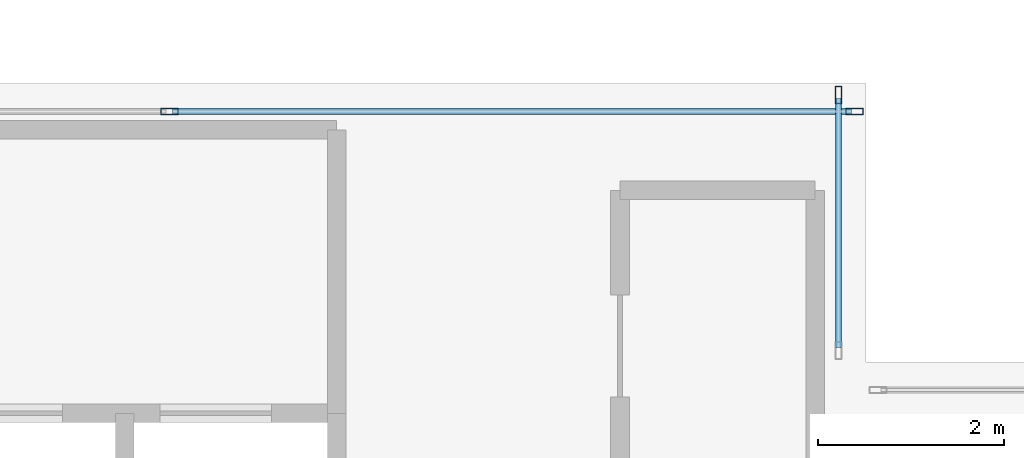
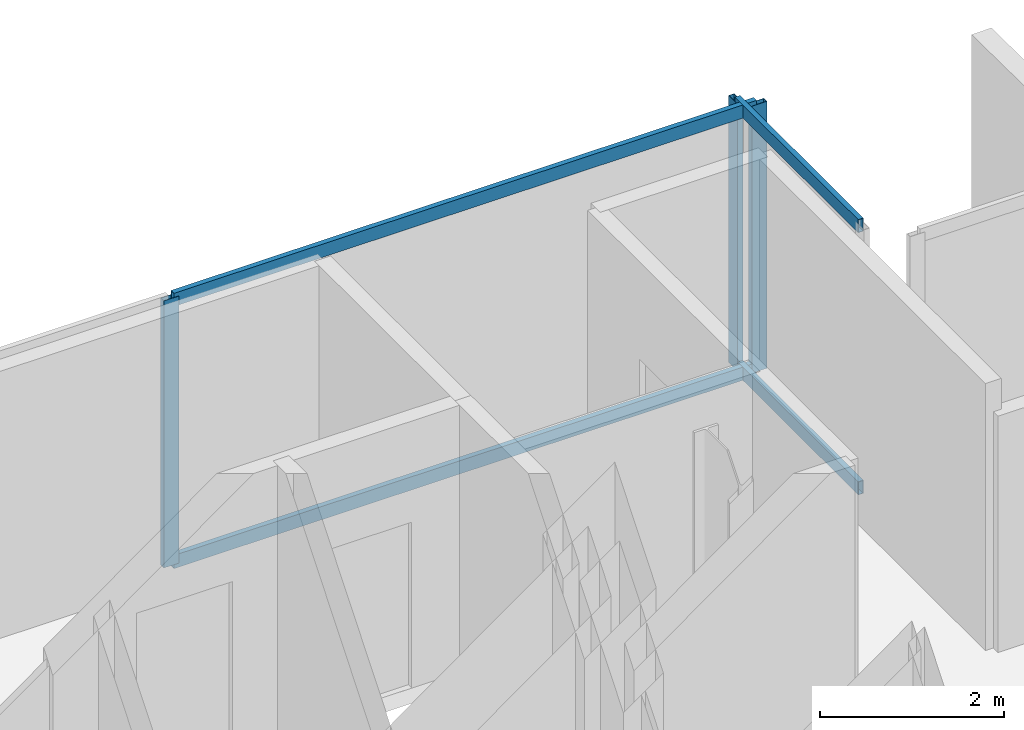
# One storey, part 12 of 21: 7 members, 2 elements without a shape of their own.
"""IFC4 building model written with IfcOpenShell, lengths in metres."""

from ifc_helpers import new_model, si_unit, direction, frame, origin, origin_2d, place, context, subcontext, project, spatial, hollow_rectangle, extrude, material, layer, layer_set, material_profile, profile_set, type_object, element, aggregate, save


model = new_model("IFC4")

# Units and contexts
model_context = context("Model", 3, precision=1e-05, world=origin(), true_north=direction((0.0, 1.0)))
body_context = subcontext(model_context, "Body", "Model", "MODEL_VIEW")
ifc_project = project(units=[si_unit("LENGTHUNIT", "METRE"), si_unit("AREAUNIT", "SQUARE_METRE"), si_unit("VOLUMEUNIT", "CUBIC_METRE"), si_unit("PLANEANGLEUNIT", "RADIAN"), si_unit("MASSUNIT", "GRAM", prefix="KILO"), si_unit("THERMODYNAMICTEMPERATUREUNIT", "KELVIN"), si_unit("POWERUNIT", "WATT")], contexts=[model_context])

# Site, building, storey
site_placement = place(None, origin())
site = spatial("IfcSite", under=ifc_project, at=site_placement, CompositionType="ELEMENT")
building_placement = place(site_placement, origin())
building = spatial("IfcBuilding", under=site, at=building_placement, Name="Svarakhadi Broadcast Tower", CompositionType="ELEMENT")
storey_placement = place(building_placement, frame((0.0, 0.0, 187.949951171875)))
storey = spatial("IfcBuildingStorey", under=building, at=storey_placement, Name="L46", CompositionType="ELEMENT", Elevation=187.949951171875)

# Curtain wall, members
ifc_material = material(Name="Anodised Bronze Aluminium AA 6063-T6", Category="aluminium")
ifc_layer = layer(ifc_material, 0.18994140625)
ifc_layer_set = layer_set([ifc_layer], Name="Anodised Bronze Aluminium AA 6063-T6")
curtain_wall_type = type_object("IfcCurtainWallType", Name="CW_Sys_04", PredefinedType="NOTDEFINED", material=ifc_layer_set)
curtain_wall_1_placement = place(storey_placement, origin())
curtain_wall_1 = element("IfcCurtainWall", 1, at=curtain_wall_1_placement, inside=storey, type_object=curtain_wall_type, Name="L46 Unitised Facade Curtain Wall 10", PredefinedType="NOTDEFINED")
ifc_material_profile_1 = material_profile(ifc_material, hollow_rectangle(XDim=0.070068359375, YDim=0.18994140625, WallThickness=0.005615234375, at=origin_2d()), Name="ALU MULLION 190x70x6")
ifc_profile_set_1 = profile_set([ifc_material_profile_1], Name="Anodised Bronze Aluminium AA 6063-T6")
member_type_1 = type_object("IfcMemberType", Name="CW_Sys_04_Mul", PredefinedType="MULLION", material=ifc_profile_set_1)
member_1_placement = place(storey_placement, frame((31.5, 23.699951171875, 0.0), z_axis=(0.0, 0.0, 1.0), x_axis=(0.0, 1.0, 0.0)))
member_1 = element("IfcMember", 2, at=member_1_placement, type_object=member_type_1, Name="CW-04 mullion 2", PredefinedType="MULLION", context=body_context, shape_type="SweptSolid", body=[
    extrude(hollow_rectangle(XDim=0.070068359375, YDim=0.18994140625, WallThickness=0.005615234375, at=origin_2d()), origin(), (0.0, 0.0, 1.0), 3.5400390625),
])
member_2_placement = place(storey_placement, frame((38.875, 23.699951171875, 0.0), z_axis=(0.0, 0.0, 1.0), x_axis=(0.0, 1.0, 0.0)))
member_2 = element("IfcMember", 3, at=member_2_placement, type_object=member_type_1, Name="CW-04 mullion 3", PredefinedType="MULLION", context=body_context, shape_type="SweptSolid", body=[
    extrude(hollow_rectangle(XDim=0.070068359375, YDim=0.18994140625, WallThickness=0.005615234375, at=origin_2d()), origin(), (0.0, 0.0, 1.0), 3.5400390625),
])

# Curtain wall, member
curtain_wall_2_placement = place(storey_placement, origin())
curtain_wall_2 = element("IfcCurtainWall", 4, at=curtain_wall_2_placement, inside=storey, type_object=curtain_wall_type, Name="L46 Unitised Facade Curtain Wall 11", PredefinedType="NOTDEFINED")
member_3_placement = place(storey_placement, frame((38.699951171875, 23.875, 0.0), z_axis=(0.0, 0.0, 1.0), x_axis=(1.0, 0.0, 0.0)))
member_3 = element("IfcMember", 5, at=member_3_placement, type_object=member_type_1, Name="CW-04 mullion 1", PredefinedType="MULLION", context=body_context, shape_type="SweptSolid", body=[
    extrude(hollow_rectangle(XDim=0.070068359375, YDim=0.18994140625, WallThickness=0.005615234375, at=origin_2d()), origin(), (0.0, 0.0, 1.0), 3.5400390625),
])

# Member
ifc_material_profile_2 = material_profile(ifc_material, hollow_rectangle(XDim=0.06494140625, YDim=0.175048828125, WallThickness=0.0048828125, at=origin_2d()), Name="ALU TRANSOM 175x65x5")
ifc_profile_set_2 = profile_set([ifc_material_profile_2], Name="Anodised Bronze Aluminium AA 6063-T6")
member_type_2 = type_object("IfcMemberType", Name="CW_Sys_04_Trn", PredefinedType="USERDEFINED", material=ifc_profile_set_2)
member_4_placement = place(storey_placement, frame((31.534912109375, 23.699951171875, 0.032470703125), z_axis=(1.0, 0.0, 0.0), x_axis=(0.0, 1.0, 0.0)))
member_4 = element("IfcMember", 6, at=member_4_placement, type_object=member_type_2, Name="CW-04 transom 2.1", ObjectType="TRANSOM", PredefinedType="USERDEFINED", context=body_context, shape_type="SweptSolid", body=[
    extrude(hollow_rectangle(XDim=0.06494140625, YDim=0.175048828125, WallThickness=0.0048828125, at=origin_2d()), origin(), (0.0, 0.0, 1.0), 7.30517578125),
])

member_5_placement = place(storey_placement, frame((31.534912109375, 23.699951171875, 3.507568359375), z_axis=(1.0, 0.0, 0.0), x_axis=(0.0, 1.0, 0.0)))
member_5 = element("IfcMember", 7, at=member_5_placement, type_object=member_type_2, Name="CW-04 transom 2.2", ObjectType="TRANSOM", PredefinedType="USERDEFINED", context=body_context, shape_type="SweptSolid", body=[
    extrude(hollow_rectangle(XDim=0.06494140625, YDim=0.175048828125, WallThickness=0.0048828125, at=origin_2d()), origin(), (0.0, 0.0, 1.0), 7.30517578125),
])

aggregate(curtain_wall_1, [member_1, member_2, member_4, member_5])

member_6_placement = place(storey_placement, frame((38.699951171875, 23.840087890625, 0.032470703125), z_axis=(0.0, -1.0, 0.0), x_axis=(1.0, 0.0, 0.0)))
member_6 = element("IfcMember", 8, at=member_6_placement, type_object=member_type_2, Name="CW-04 transom 1.1", ObjectType="TRANSOM", PredefinedType="USERDEFINED", context=body_context, shape_type="SweptSolid", body=[
    extrude(hollow_rectangle(XDim=0.06494140625, YDim=0.175048828125, WallThickness=0.0048828125, at=origin_2d()), origin(), (0.0, 0.0, 1.0), 2.68017578125),
])

member_7_placement = place(storey_placement, frame((38.699951171875, 23.840087890625, 3.507568359375), z_axis=(0.0, -1.0, 0.0), x_axis=(1.0, 0.0, 0.0)))
member_7 = element("IfcMember", 9, at=member_7_placement, type_object=member_type_2, Name="CW-04 transom 1.2", ObjectType="TRANSOM", PredefinedType="USERDEFINED", context=body_context, shape_type="SweptSolid", body=[
    extrude(hollow_rectangle(XDim=0.06494140625, YDim=0.175048828125, WallThickness=0.0048828125, at=origin_2d()), origin(), (0.0, 0.0, 1.0), 2.68017578125),
])

aggregate(curtain_wall_2, [member_3, member_6, member_7])

save(model, "model.ifc")
